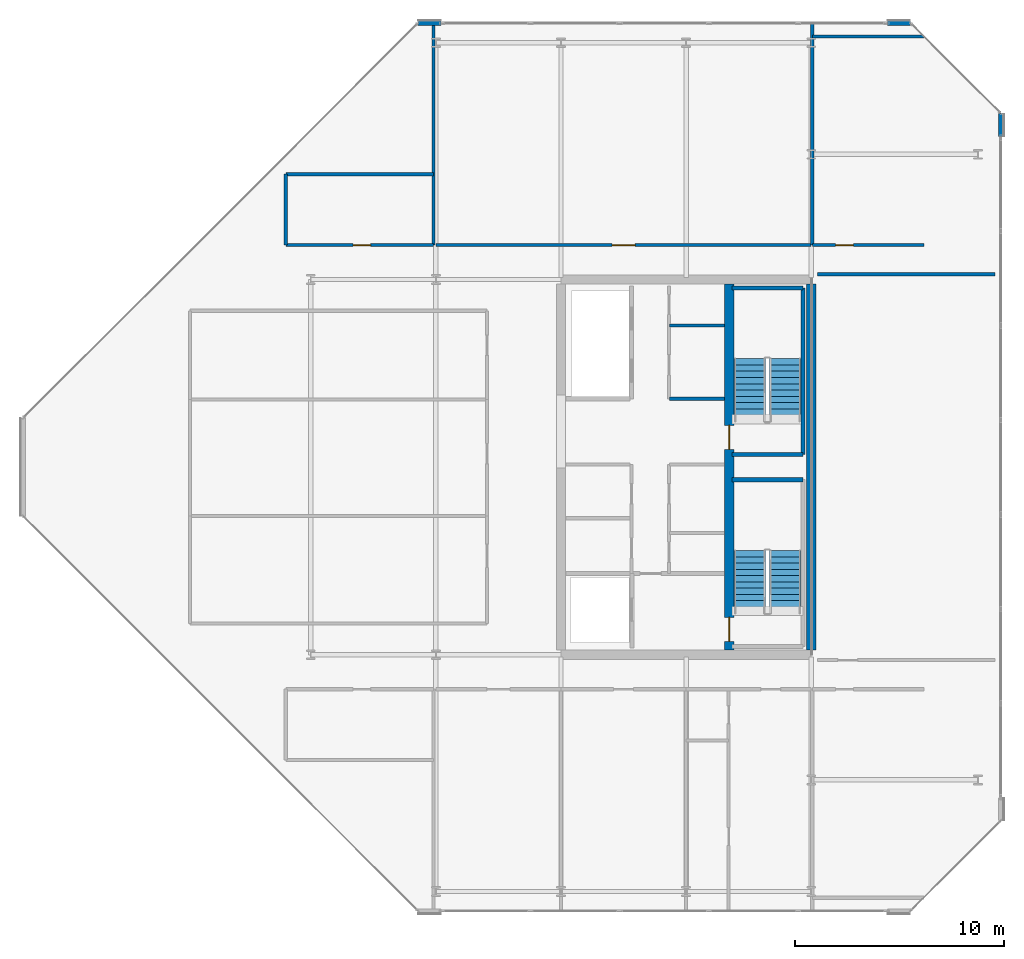
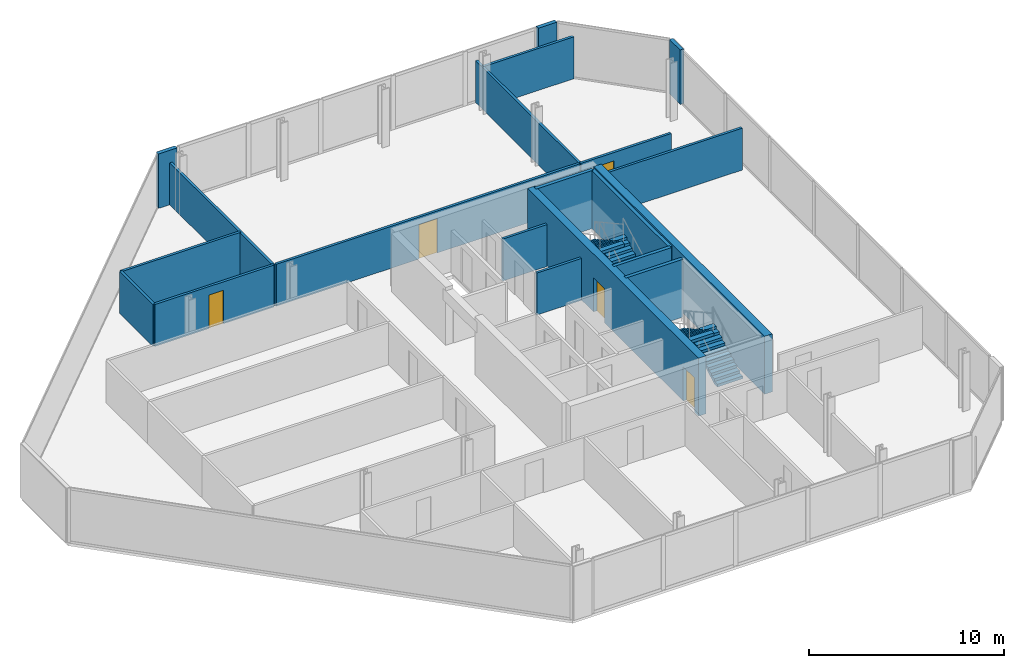
# One storey, part 15 of 17: 20 walls, 5 doors, 4 stair flights, 5 openings, 2 elements without a shape of their own.
"""IFC4 building model written with IfcOpenShell, lengths in metres."""

from ifc_helpers import new_model, si_unit, direction, frame, frame_2d, origin, place, context, subcontext, project, spatial, polyline, rectangle, outline, extrude, material, layer, layer_set, type_object, element, fill, aggregate, save


model = new_model("IFC4")

# Units and contexts
model_context = context("Model", 3, precision=1e-05, world=origin(), true_north=direction((0.0, 1.0)))
body_context = subcontext(model_context, "Body", "Model", "MODEL_VIEW")
ifc_project = project(units=[si_unit("LENGTHUNIT", "METRE"), si_unit("AREAUNIT", "SQUARE_METRE"), si_unit("VOLUMEUNIT", "CUBIC_METRE"), si_unit("PLANEANGLEUNIT", "RADIAN"), si_unit("MASSUNIT", "GRAM", prefix="KILO")], contexts=[model_context])

# Site, building, storey
site_placement = place(None, origin())
site = spatial("IfcSite", under=ifc_project, at=site_placement, CompositionType="ELEMENT")
building_placement = place(site_placement, origin())
building = spatial("IfcBuilding", under=site, at=building_placement, Name="Tanjung Sevakor Pilgrim Tower", CompositionType="ELEMENT")
storey_placement = place(building_placement, frame((0.0, 0.0, 267.9599609375)))
storey = spatial("IfcBuildingStorey", under=building, at=storey_placement, Name="L75", CompositionType="ELEMENT", Elevation=267.9599609375)

# Wall
ifc_material_1 = material(Name="Concrete C60/75", Category="concrete")
ifc_layer_1 = layer(ifc_material_1, 0.449951171875)
ifc_layer_set_1 = layer_set([ifc_layer_1], Name="WALL-CW-450")
wall_type_1 = type_object("IfcWallType", Name="WALL-CW-450", PredefinedType="SHEAR", material=ifc_layer_set_1)
wall_1_placement = place(storey_placement, frame((90.0, 24.824951171875, 0.0), z_axis=(0.0, 0.0, 1.0), x_axis=(0.0, 1.0, 0.0)))
element("IfcWall", 1, at=wall_1_placement, inside=storey, type_object=wall_type_1, Name="L75 E Core Outer Shear Wall", PredefinedType="SHEAR", context=body_context, shape_type="SweptSolid", body=[
    extrude(rectangle(XDim=17.550048828125, YDim=0.449951171875, at=frame_2d((8.77490234375, 0.0))), origin(), (0.0, 0.0, 1.0), 3.630126953125),
])

# Wall, openings, doors
wall_2_placement = place(storey_placement, frame((86.074951171875, 24.824951171875, 0.0), z_axis=(0.0, 0.0, 1.0), x_axis=(0.0, 1.0, 0.0)))
wall_2 = element("IfcWall", 2, at=wall_2_placement, inside=storey, type_object=wall_type_1, Name="L75 E Core Stair Spine Wall", PredefinedType="SHEAR", context=body_context, shape_type="SweptSolid", body=[
    extrude(rectangle(XDim=17.550048828125, YDim=0.449951171875, at=frame_2d((8.77490234375, 0.0))), origin(), (0.0, 0.0, 1.0), 3.630126953125),
])
opening_1_placement = place(wall_2_placement, frame((0.425048828125, 0.0, 0.0)))
opening_1 = element("IfcOpeningElement", 3, at=opening_1_placement, cuts=wall_2, Name="Opening ID-ST1", PredefinedType="OPENING", context=body_context, shape_type="SweptSolid", body=[
    extrude(rectangle(XDim=1.14990234375, YDim=2.14990234375, at=frame_2d((0.574951171875, 1.074951171875))), frame((0.0, 0.23486328125, 0.0), z_axis=(0.0, -1.0, 0.0), x_axis=(1.0, 0.0, 0.0)), (0.0, 0.0, 1.0), 0.469970703125),
])
opening_2_placement = place(wall_2_placement, frame((9.625, 0.0, 0.0)))
opening_2 = element("IfcOpeningElement", 4, at=opening_2_placement, cuts=wall_2, Name="Opening ID-ST1", PredefinedType="OPENING", context=body_context, shape_type="SweptSolid", body=[
    extrude(rectangle(XDim=1.14990234375, YDim=2.14990234375, at=frame_2d((0.574951171875, 1.074951171875))), frame((0.0, 0.23486328125, 0.0), z_axis=(0.0, -1.0, 0.0), x_axis=(1.0, 0.0, 0.0)), (0.0, 0.0, 1.0), 0.469970703125),
])
ifc_material_2 = material(Name="Fire-Rated Steel S355J2", Category="steel")
door_type_1 = type_object("IfcDoorType", Name="DT-FIRE-1150", OperationType="NOTDEFINED", PredefinedType="DOOR", material=ifc_material_2)
door_1_placement = place(opening_1_placement, origin())
door_1 = element("IfcDoor", 5, at=door_1_placement, inside=storey, type_object=door_type_1, Name="L75 TS-E1 Stair Fire Door", OperationType="SINGLE_SWING_LEFT", OverallHeight=2.14990234375, OverallWidth=1.14990234375, PredefinedType="DOOR", context=body_context, shape_type="SweptSolid", body=[
    extrude(rectangle(XDim=1.14990234375, YDim=2.14990234375, at=frame_2d((0.574951171875, 1.074951171875))), frame((0.0, 0.02490234375, 0.0), z_axis=(0.0, -1.0, 0.0), x_axis=(1.0, 0.0, 0.0)), (0.0, 0.0, 1.0), 0.050048828125),
])
fill(opening_1, door_1)
door_2_placement = place(opening_2_placement, origin())
door_2 = element("IfcDoor", 6, at=door_2_placement, inside=storey, type_object=door_type_1, Name="L75 TS-E2 Stair Fire Door", OperationType="SINGLE_SWING_RIGHT", OverallHeight=2.14990234375, OverallWidth=1.14990234375, PredefinedType="DOOR", context=body_context, shape_type="SweptSolid", body=[
    extrude(rectangle(XDim=1.14990234375, YDim=2.14990234375, at=frame_2d((0.574951171875, 1.074951171875))), frame((0.0, 0.02490234375, 0.0), z_axis=(0.0, -1.0, 0.0), x_axis=(1.0, 0.0, 0.0)), (0.0, 0.0, 1.0), 0.050048828125),
])
fill(opening_2, door_2)

# Walls
ifc_material_3 = material(Name="Concrete C40/50", Category="concrete")
ifc_layer_2 = layer(ifc_material_3, 0.14990234375)
ifc_layer_set_2 = layer_set([ifc_layer_2], Name="WT-COMP-150")
wall_type_2 = type_object("IfcWallType", Name="WT-COMP-150", PredefinedType="SOLIDWALL", material=ifc_layer_set_2)
for number, where, z_axis, x_axis, name in (
    (7, (83.199951171875, 36.8798828125, 0.0), (0.0, 0.0, 1.0), (1.0, 0.0, 0.0), "L75 Partition IW-L75-009"),
    (8, (83.199951171875, 40.389892578125, 0.0), (0.0, 0.0, 1.0), (1.0, 0.0, 0.0), "L75 Partition IW-L75-010"),
):
    element("IfcWall", number, at=place(storey_placement, frame(where, z_axis=z_axis, x_axis=x_axis)), inside=storey, type_object=wall_type_2, Name=name, PredefinedType="SOLIDWALL", context=body_context, shape_type="SweptSolid", body=[
        extrude(rectangle(XDim=2.630126953125, YDim=0.14990234375, at=frame_2d((1.31494140625, 0.0))), origin(), (0.0, 0.0, 1.0), 2.6298828125),
    ])

# Wall, opening, door
wall_3_placement = place(storey_placement, frame((64.800048828125, 44.25, 0.0), z_axis=(0.0, 0.0, 1.0), x_axis=(1.0, 0.0, 0.0)))
wall_3 = element("IfcWall", 9, at=wall_3_placement, inside=storey, type_object=wall_type_2, Name="L75 Partition IW-L75-018", PredefinedType="SOLIDWALL", context=body_context, shape_type="SweptSolid", body=[
    extrude(rectangle(XDim=7.079833984375, YDim=0.14990234375, at=frame_2d((3.5400390625, 0.0))), origin(), (0.0, 0.0, 1.0), 2.6298828125),
])
opening_3_placement = place(wall_3_placement, frame((3.22509765625, 0.0, 0.0)))
opening_3 = element("IfcOpeningElement", 10, at=opening_3_placement, cuts=wall_3, Name="Opening ID-WC1", PredefinedType="OPENING", context=body_context, shape_type="SweptSolid", body=[
    extrude(rectangle(XDim=0.85009765625, YDim=2.10009765625, at=frame_2d((0.425048828125, 1.050048828125))), frame((0.0, 0.0849609375, 0.0), z_axis=(0.0, -1.0, 0.0), x_axis=(1.0, 0.0, 0.0)), (0.0, 0.0, 1.0), 0.169921875),
])
ifc_material_4 = material(Name="Moisture-Resistant Timber", Category="wood")
door_type_2 = type_object("IfcDoorType", Name="DT-INT-850", OperationType="NOTDEFINED", PredefinedType="DOOR", material=ifc_material_4)
door_3_placement = place(opening_3_placement, origin())
door_3 = element("IfcDoor", 11, at=door_3_placement, inside=storey, type_object=door_type_2, Name="L75 NW Crown Library Door", OperationType="SINGLE_SWING_LEFT", OverallHeight=2.10009765625, OverallWidth=0.85009765625, PredefinedType="DOOR", context=body_context, shape_type="SweptSolid", body=[
    extrude(rectangle(XDim=0.85009765625, YDim=2.10009765625, at=frame_2d((0.425048828125, 1.050048828125))), frame((0.0, 0.02490234375, 0.0), z_axis=(0.0, -1.0, 0.0), x_axis=(1.0, 0.0, 0.0)), (0.0, 0.0, 1.0), 0.050048828125),
])
fill(opening_3, door_3)

# Walls
wall_4_placement = place(storey_placement, frame((64.800048828125, 47.64990234375, 0.0), z_axis=(0.0, 0.0, 1.0), x_axis=(1.0, 0.0, 0.0)))
element("IfcWall", 12, at=wall_4_placement, inside=storey, type_object=wall_type_2, Name="L75 Partition IW-L75-019", PredefinedType="SOLIDWALL", context=body_context, shape_type="SweptSolid", body=[
    extrude(rectangle(XDim=7.079833984375, YDim=0.14990234375, at=frame_2d((3.5400390625, 0.0))), origin(), (0.0, 0.0, 1.0), 2.6298828125),
])
wall_5_placement = place(storey_placement, frame((64.800048828125, 44.25, 0.0), z_axis=(0.0, 0.0, 1.0), x_axis=(0.0, 1.0, 0.0)))
element("IfcWall", 13, at=wall_5_placement, inside=storey, type_object=wall_type_2, Name="L75 Partition IW-L75-020", PredefinedType="SOLIDWALL", context=body_context, shape_type="SweptSolid", body=[
    extrude(rectangle(XDim=3.39990234375, YDim=0.14990234375, at=frame_2d((1.699951171875, 0.0))), origin(), (0.0, 0.0, 1.0), 2.6298828125),
])
wall_6_placement = place(storey_placement, frame((71.8798828125, 44.25, 0.0), z_axis=(0.0, 0.0, 1.0), x_axis=(0.0, 1.0, 0.0)))
element("IfcWall", 14, at=wall_6_placement, inside=storey, type_object=wall_type_2, Name="L75 Partition IW-L75-021", PredefinedType="SOLIDWALL", context=body_context, shape_type="SweptSolid", body=[
    extrude(rectangle(XDim=10.610107421875, YDim=0.14990234375, at=frame_2d((5.30517578125, 0.0))), origin(), (0.0, 0.0, 1.0), 2.6298828125),
])
wall_7_placement = place(storey_placement, frame((90.300048828125, 42.85009765625, 0.0), z_axis=(0.0, 0.0, 1.0), x_axis=(1.0, 0.0, 0.0)))
element("IfcWall", 15, at=wall_7_placement, inside=storey, type_object=wall_type_2, Name="L75 Partition IW-L75-023", PredefinedType="SOLIDWALL", context=body_context, shape_type="SweptSolid", body=[
    extrude(rectangle(XDim=8.52001953125, YDim=0.14990234375, at=frame_2d((4.260009765625, 0.0))), origin(), (0.0, 0.0, 1.0), 2.6298828125),
])

# Wall, opening, door
wall_8_placement = place(storey_placement, frame((90.050048828125, 44.25, 0.0), z_axis=(0.0, 0.0, 1.0), x_axis=(1.0, 0.0, 0.0)))
wall_8 = element("IfcWall", 16, at=wall_8_placement, inside=storey, type_object=wall_type_2, Name="L75 Partition IW-L75-027", PredefinedType="SOLIDWALL", context=body_context, shape_type="SweptSolid", body=[
    extrude(rectangle(XDim=5.369873046875, YDim=0.14990234375, at=frame_2d((2.68505859375, 0.0))), origin(), (0.0, 0.0, 1.0), 2.6298828125),
])
opening_4_placement = place(wall_8_placement, frame((1.125, 0.0, 0.0)))
opening_4 = element("IfcOpeningElement", 17, at=opening_4_placement, cuts=wall_8, Name="Opening ID-WC1", PredefinedType="OPENING", context=body_context, shape_type="SweptSolid", body=[
    extrude(rectangle(XDim=0.85009765625, YDim=2.10009765625, at=frame_2d((0.425048828125, 1.050048828125))), frame((0.0, 0.0849609375, 0.0), z_axis=(0.0, -1.0, 0.0), x_axis=(1.0, 0.0, 0.0)), (0.0, 0.0, 1.0), 0.169921875),
])
door_4_placement = place(opening_4_placement, origin())
door_4 = element("IfcDoor", 18, at=door_4_placement, inside=storey, type_object=door_type_2, Name="L75 NE Crown Lounge Door", OperationType="SINGLE_SWING_RIGHT", OverallHeight=2.10009765625, OverallWidth=0.85009765625, PredefinedType="DOOR", context=body_context, shape_type="SweptSolid", body=[
    extrude(rectangle(XDim=0.85009765625, YDim=2.10009765625, at=frame_2d((0.425048828125, 1.050048828125))), frame((0.0, 0.02490234375, 0.0), z_axis=(0.0, -1.0, 0.0), x_axis=(1.0, 0.0, 0.0)), (0.0, 0.0, 1.0), 0.050048828125),
])
fill(opening_4, door_4)

# Walls
wall_9_placement = place(storey_placement, frame((90.050048828125, 54.25, 0.0), z_axis=(0.0, 0.0, 1.0), x_axis=(1.0, 0.0, 0.0)))
element("IfcWall", 19, at=wall_9_placement, inside=storey, type_object=wall_type_2, Name="L75 Partition IW-L75-028", PredefinedType="SOLIDWALL", context=body_context, shape_type="SweptSolid", body=[
    extrude(rectangle(XDim=5.369873046875, YDim=0.14990234375, at=frame_2d((2.68505859375, 0.0))), origin(), (0.0, 0.0, 1.0), 2.6298828125),
])
wall_10_placement = place(storey_placement, frame((90.050048828125, 44.25, 0.0), z_axis=(0.0, 0.0, 1.0), x_axis=(0.0, 1.0, 0.0)))
element("IfcWall", 20, at=wall_10_placement, inside=storey, type_object=wall_type_2, Name="L75 Partition IW-L75-029", PredefinedType="SOLIDWALL", context=body_context, shape_type="SweptSolid", body=[
    extrude(rectangle(XDim=10.610107421875, YDim=0.14990234375, at=frame_2d((5.30517578125, 0.0))), origin(), (0.0, 0.0, 1.0), 2.6298828125),
])

# Wall, opening, door
wall_11_placement = place(storey_placement, frame((72.0, 44.25, 0.0), z_axis=(0.0, 0.0, 1.0), x_axis=(1.0, 0.0, 0.0)))
wall_11 = element("IfcWall", 21, at=wall_11_placement, inside=storey, type_object=wall_type_2, Name="L75 Partition IW-L75-037", PredefinedType="SOLIDWALL", context=body_context, shape_type="SweptSolid", body=[
    extrude(rectangle(XDim=18.0, YDim=0.14990234375, at=frame_2d((9.0, 0.0))), origin(), (0.0, 0.0, 1.0), 2.6298828125),
])
opening_5_placement = place(wall_11_placement, frame((8.449951171875, 0.0, 0.0)))
opening_5 = element("IfcOpeningElement", 22, at=opening_5_placement, cuts=wall_11, Name="Opening ID-FD0", PredefinedType="OPENING", context=body_context, shape_type="SweptSolid", body=[
    extrude(rectangle(XDim=1.10009765625, YDim=2.14990234375, at=frame_2d((0.550048828125, 1.074951171875))), frame((0.0, 0.0849609375, 0.0), z_axis=(0.0, -1.0, 0.0), x_axis=(1.0, 0.0, 0.0)), (0.0, 0.0, 1.0), 0.169921875),
])
ifc_material_5 = material(Name="Fire-Rated Steel S355J2", Category="steel")
door_type_3 = type_object("IfcDoorType", Name="DT-FIRE-1100", OperationType="NOTDEFINED", PredefinedType="DOOR", material=ifc_material_5)
door_5_placement = place(opening_5_placement, origin())
door_5 = element("IfcDoor", 23, at=door_5_placement, inside=storey, type_object=door_type_3, Name="Sky-Prayer Sanctuary Door", OperationType="SINGLE_SWING_RIGHT", OverallHeight=2.14990234375, OverallWidth=1.10009765625, PredefinedType="DOOR", context=body_context, shape_type="SweptSolid", body=[
    extrude(rectangle(XDim=1.10009765625, YDim=2.14990234375, at=frame_2d((0.550048828125, 1.074951171875))), frame((0.0, 0.02490234375, 0.0), z_axis=(0.0, -1.0, 0.0), x_axis=(1.0, 0.0, 0.0)), (0.0, 0.0, 1.0), 0.050048828125),
])
fill(opening_5, door_5)

# Walls
ifc_material_6 = material(Name="Precast concrete C45/55", Category="concrete")
ifc_layer_3 = layer(ifc_material_6, 0.219970703125)
ifc_layer_set_3 = layer_set([ifc_layer_3], Name="WT-EW-STN4")
wall_type_3 = type_object("IfcWallType", Name="WT-EW-STN4", PredefinedType="SOLIDWALL", material=ifc_layer_set_3)
for number, where, z_axis, x_axis, name in (
    (24, (99.090087890625, 49.454345703125, 0.0), (0.0, 0.0, 1.0), (0.0, 1.0, 0.0), "L75 EAST Crown Pier 2-1B"),
    (25, (94.75439453125, 54.889892578125, 0.0), (0.0, 0.0, 1.0), (-1.0, 0.0, 0.0), "L75 EAST Crown Pier 4-1A"),
    (26, (72.24560546875, 54.889892578125, 0.0), (0.0, 0.0, 1.0), (-1.0, 0.0, 0.0), "L75 EAST Crown Pier 4-1B"),
):
    element("IfcWall", number, at=place(storey_placement, frame(where, z_axis=z_axis, x_axis=x_axis)), inside=storey, type_object=wall_type_3, Name=name, PredefinedType="SOLIDWALL", context=body_context, shape_type="SweptSolid", body=[
        extrude(rectangle(XDim=1.10009765625, YDim=0.219970703125, at=frame_2d((0.550048828125, 0.0))), origin(), (0.0, 0.0, 1.0), 3.409912109375),
    ])
ifc_material_7 = material(Name="Concrete C40/50", Category="concrete")
ifc_layer_4 = layer(ifc_material_7, 0.199951171875)
ifc_layer_set_4 = layer_set([ifc_layer_4], Name="WT-FIRE-200")
wall_type_4 = type_object("IfcWallType", Name="WT-FIRE-200", PredefinedType="SOLIDWALL", material=ifc_layer_set_4)
for number, where, z_axis, x_axis, name in (
    (27, (89.60009765625, 33.0, 0.0), (0.0, 0.0, 1.0), (-1.0, 0.0, 0.0), "L75 TS-E1 Shaft Wall 3"),
    (28, (86.199951171875, 34.199951171875, 0.0), (0.0, 0.0, 1.0), (1.0, 0.0, 0.0), "L75 TS-E2 Shaft Wall 1"),
):
    element("IfcWall", number, at=place(storey_placement, frame(where, z_axis=z_axis, x_axis=x_axis)), inside=storey, type_object=wall_type_4, Name=name, PredefinedType="SOLIDWALL", context=body_context, shape_type="SweptSolid", body=[
        extrude(rectangle(XDim=3.400146484375, YDim=0.199951171875, at=frame_2d((1.7001953125, 0.0))), origin(), (0.0, 0.0, 1.0), 3.630126953125),
    ])
wall_12_placement = place(storey_placement, frame((89.60009765625, 34.199951171875, 0.0), z_axis=(0.0, 0.0, 1.0), x_axis=(0.0, 1.0, 0.0)))
element("IfcWall", 29, at=wall_12_placement, inside=storey, type_object=wall_type_4, Name="L75 TS-E2 Shaft Wall 2", PredefinedType="SOLIDWALL", context=body_context, shape_type="SweptSolid", body=[
    extrude(rectangle(XDim=8.0, YDim=0.199951171875, at=frame_2d((4.0, 0.0))), origin(), (0.0, 0.0, 1.0), 3.630126953125),
])
wall_13_placement = place(storey_placement, frame((89.60009765625, 42.199951171875, 0.0), z_axis=(0.0, 0.0, 1.0), x_axis=(-1.0, 0.0, 0.0)))
element("IfcWall", 30, at=wall_13_placement, inside=storey, type_object=wall_type_4, Name="L75 TS-E2 Shaft Wall 3", PredefinedType="SOLIDWALL", context=body_context, shape_type="SweptSolid", body=[
    extrude(rectangle(XDim=3.400146484375, YDim=0.199951171875, at=frame_2d((1.7001953125, 0.0))), origin(), (0.0, 0.0, 1.0), 3.630126953125),
])

# Stair, stair flights
ifc_material_8 = material(Name="Concrete C40/50", Category="concrete")
stair_type = type_object("IfcStairType", Name="STAIR-ST-CR150", PredefinedType="HALF_TURN_STAIR", material=ifc_material_8)
stair_1_placement = place(storey_placement, origin())
stair_1 = element("IfcStair", 31, at=stair_1_placement, inside=storey, type_object=stair_type, Name="L75 East Core Exit Stair 1", PredefinedType="HALF_TURN_STAIR")
ifc_material_9 = material(Name="Concrete C40/50", Category="concrete")
stair_flight_type = type_object("IfcStairFlightType", Name="FLIGHT-ST-CR150", PredefinedType="STRAIGHT", material=ifc_material_9)
stair_flight_1_placement = place(storey_placement, frame((88.75, 26.60009765625, 0.0), z_axis=(0.0, 0.0, 1.0), x_axis=(0.0, 1.0, 0.0)))
stair_flight_1 = element("IfcStairFlight", 32, at=stair_flight_1_placement, type_object=stair_flight_type, Name="TS-E1 flight 1", NumberOfRisers=11, NumberOfTreads=10, PredefinedType="STRAIGHT", RiserHeight=0.165, TreadLength=0.3, context=body_context, shape_type="SweptSolid", body=[
    extrude(outline(polyline([(0.0, 0.0), (0.0, 0.1650390625), (0.300048828125, 0.1650390625), (0.300048828125, 0.330078125), (0.60009765625, 0.330078125), (0.60009765625, 0.4951171875), (0.89990234375, 0.4951171875), (0.89990234375, 0.659912109375), (1.199951171875, 0.659912109375), (1.199951171875, 0.824951171875), (1.5, 0.824951171875), (1.5, 0.989990234375), (1.800048828125, 0.989990234375), (1.800048828125, 1.155029296875), (2.10009765625, 1.155029296875), (2.10009765625, 1.320068359375), (2.39990234375, 1.320068359375), (2.39990234375, 1.485107421875), (2.699951171875, 1.485107421875), (2.699951171875, 1.64990234375), (3.0, 1.64990234375), (3.0, 1.81494140625), (3.0, 1.467529296875), (0.331787109375, 0.0), (0.0, 0.0)])), frame((0.0, 0.75, 0.0), z_axis=(0.0, -1.0, 0.0), x_axis=(1.0, 0.0, 0.0)), (0.0, 0.0, 1.0), 1.5),
])
stair_flight_2_placement = place(storey_placement, frame((87.050048828125, 29.60009765625, 1.81494140625), z_axis=(0.0, 0.0, 1.0), x_axis=(0.0, -1.0, 0.0)))
stair_flight_2 = element("IfcStairFlight", 33, at=stair_flight_2_placement, type_object=stair_flight_type, Name="TS-E1 flight 2", NumberOfRisers=11, NumberOfTreads=10, PredefinedType="STRAIGHT", RiserHeight=0.165, TreadLength=0.3, context=body_context, shape_type="SweptSolid", body=[
    extrude(outline(polyline([(0.0, 0.0), (0.0, 0.1650390625), (0.300048828125, 0.1650390625), (0.300048828125, 0.330078125), (0.60009765625, 0.330078125), (0.60009765625, 0.4951171875), (0.89990234375, 0.4951171875), (0.89990234375, 0.659912109375), (1.199951171875, 0.659912109375), (1.199951171875, 0.824951171875), (1.5, 0.824951171875), (1.5, 0.989990234375), (1.800048828125, 0.989990234375), (1.800048828125, 1.155029296875), (2.10009765625, 1.155029296875), (2.10009765625, 1.320068359375), (2.39990234375, 1.320068359375), (2.39990234375, 1.485107421875), (2.699951171875, 1.485107421875), (2.699951171875, 1.64990234375), (3.0, 1.64990234375), (3.0, 1.81494140625), (3.0, 1.467529296875), (0.331787109375, 0.0), (0.0, 0.0)])), frame((0.0, 0.75, 0.0), z_axis=(0.0, -1.0, 0.0), x_axis=(1.0, 0.0, 0.0)), (0.0, 0.0, 1.0), 1.5),
])
aggregate(stair_1, [stair_flight_1, stair_flight_2])

stair_2_placement = place(storey_placement, origin())
stair_2 = element("IfcStair", 34, at=stair_2_placement, inside=storey, type_object=stair_type, Name="L75 East Core Exit Stair 2", PredefinedType="HALF_TURN_STAIR")
stair_flight_3_placement = place(storey_placement, frame((88.75, 35.800048828125, 0.0), z_axis=(0.0, 0.0, 1.0), x_axis=(0.0, 1.0, 0.0)))
stair_flight_3 = element("IfcStairFlight", 35, at=stair_flight_3_placement, type_object=stair_flight_type, Name="TS-E2 flight 1", NumberOfRisers=11, NumberOfTreads=10, PredefinedType="STRAIGHT", RiserHeight=0.165, TreadLength=0.3, context=body_context, shape_type="SweptSolid", body=[
    extrude(outline(polyline([(0.0, 0.0), (0.0, 0.1650390625), (0.300048828125, 0.1650390625), (0.300048828125, 0.330078125), (0.60009765625, 0.330078125), (0.60009765625, 0.4951171875), (0.89990234375, 0.4951171875), (0.89990234375, 0.659912109375), (1.199951171875, 0.659912109375), (1.199951171875, 0.824951171875), (1.5, 0.824951171875), (1.5, 0.989990234375), (1.800048828125, 0.989990234375), (1.800048828125, 1.155029296875), (2.10009765625, 1.155029296875), (2.10009765625, 1.320068359375), (2.39990234375, 1.320068359375), (2.39990234375, 1.485107421875), (2.699951171875, 1.485107421875), (2.699951171875, 1.64990234375), (3.0, 1.64990234375), (3.0, 1.81494140625), (3.0, 1.467529296875), (0.331787109375, 0.0), (0.0, 0.0)])), frame((0.0, 0.75, 0.0), z_axis=(0.0, -1.0, 0.0), x_axis=(1.0, 0.0, 0.0)), (0.0, 0.0, 1.0), 1.5),
])
stair_flight_4_placement = place(storey_placement, frame((87.050048828125, 38.800048828125, 1.81494140625), z_axis=(0.0, 0.0, 1.0), x_axis=(0.0, -1.0, 0.0)))
stair_flight_4 = element("IfcStairFlight", 36, at=stair_flight_4_placement, type_object=stair_flight_type, Name="TS-E2 flight 2", NumberOfRisers=11, NumberOfTreads=10, PredefinedType="STRAIGHT", RiserHeight=0.165, TreadLength=0.3, context=body_context, shape_type="SweptSolid", body=[
    extrude(outline(polyline([(0.0, 0.0), (0.0, 0.1650390625), (0.300048828125, 0.1650390625), (0.300048828125, 0.330078125), (0.60009765625, 0.330078125), (0.60009765625, 0.4951171875), (0.89990234375, 0.4951171875), (0.89990234375, 0.659912109375), (1.199951171875, 0.659912109375), (1.199951171875, 0.824951171875), (1.5, 0.824951171875), (1.5, 0.989990234375), (1.800048828125, 0.989990234375), (1.800048828125, 1.155029296875), (2.10009765625, 1.155029296875), (2.10009765625, 1.320068359375), (2.39990234375, 1.320068359375), (2.39990234375, 1.485107421875), (2.699951171875, 1.485107421875), (2.699951171875, 1.64990234375), (3.0, 1.64990234375), (3.0, 1.81494140625), (3.0, 1.467529296875), (0.331787109375, 0.0), (0.0, 0.0)])), frame((0.0, 0.75, 0.0), z_axis=(0.0, -1.0, 0.0), x_axis=(1.0, 0.0, 0.0)), (0.0, 0.0, 1.0), 1.5),
])
aggregate(stair_2, [stair_flight_3, stair_flight_4])

save(model, "model.ifc")
